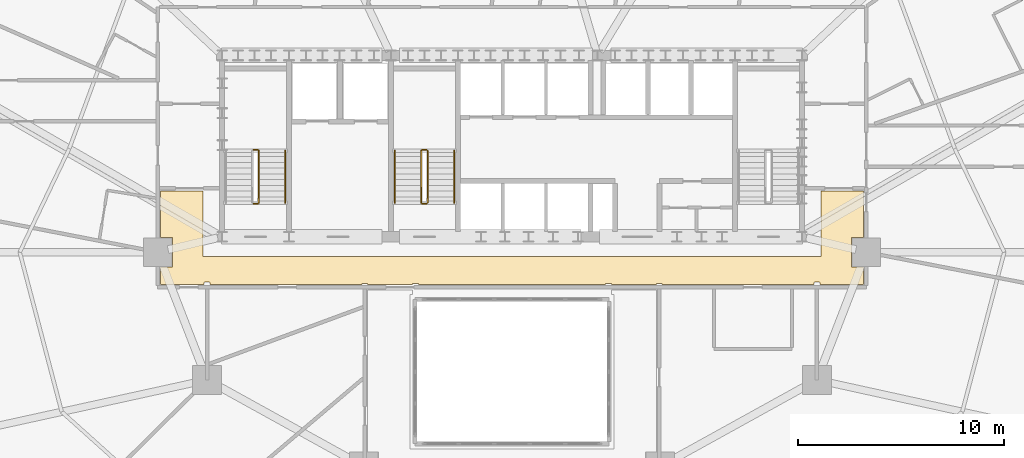
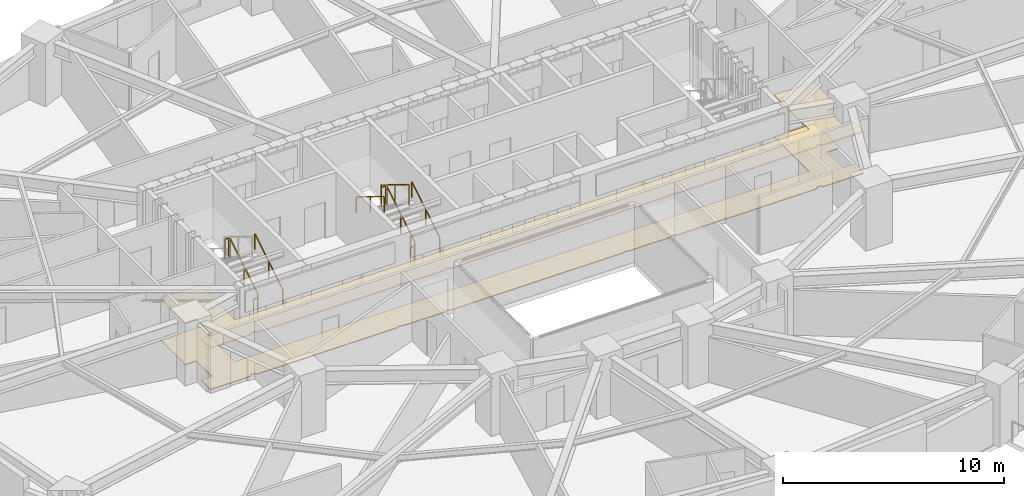
# One storey, part 15 of 17: 10 railings, 2 coverings.
"""IFC4 building model written with IfcOpenShell, lengths in metres."""

import ifcopenshell
import ifcopenshell.guid

model = None  # the IFC model being written
_history = None  # IfcOwnerHistory: only IFC2X3 demands one
_inside = {}  # id of a spatial element -> (the spatial element, [elements in it])
_under = {}  # id of a project, library or spatial element -> (it, [spatial elements below it])
_declared = {}  # id of a project -> (the project, [libraries it declares])
_typed = {}  # id of a type object -> (the type object, [elements of that type])
_made_of = {}  # id of a material, layer set ... -> (it, [elements and type objects made of it])


def new_model(schema):
    """Start an empty IFC model of exactly this schema.

    Asked for "IFC4X3", IfcOpenShell would pick the latest addendum, in which some entities
    have other attributes; the version numbers below select the first issue.
    IFC2X3 requires an IfcOwnerHistory on every rooted entity: one is made here for all.
    """
    global model, _history
    if schema == "IFC4X3":
        model = ifcopenshell.file(schema_version=(4, 3, 0, 0))
    else:
        model = ifcopenshell.file(schema=schema)
    _inside.clear()
    _under.clear()
    _declared.clear()
    _typed.clear()
    _made_of.clear()
    _history = None
    if model.schema == "IFC2X3":
        org = make("IfcOrganization", Name="unknown")
        user = make(
            "IfcPersonAndOrganization",
            ThePerson=make("IfcPerson", FamilyName="unknown"),
            TheOrganization=org,
        )
        app = make(
            "IfcApplication",
            ApplicationDeveloper=org,
            Version="unknown",
            ApplicationFullName="unknown",
            ApplicationIdentifier="unknown",
        )
        _history = make(
            "IfcOwnerHistory",
            OwningUser=user,
            OwningApplication=app,
            ChangeAction="ADDED",
            CreationDate=0,
        )
    return model


def make(cls, **values):
    """One entity of the class cls with the attributes given. An attribute that is None is left unset."""
    return model.create_entity(
        cls, **{name: value for name, value in values.items() if value is not None}
    )


def rooted(cls, **values):
    """An entity with a GlobalId (a new one), such as an element, a storey or a relation."""
    return make(cls, GlobalId=ifcopenshell.guid.new(), OwnerHistory=_history, **values)


def si_unit(unit_type, name, prefix=None):
    """IfcSIUnit, for example si_unit("LENGTHUNIT", "METRE", prefix="MILLI")."""
    return make("IfcSIUnit", UnitType=unit_type, Prefix=prefix, Name=name)


def assignment(units):
    """IfcUnitAssignment: the units of a project."""
    return None if units is None else make("IfcUnitAssignment", Units=units)


def point(xyz):
    """IfcCartesianPoint."""
    return None if xyz is None else make("IfcCartesianPoint", Coordinates=xyz)


def direction(xyz):
    """IfcDirection."""
    return None if xyz is None else make("IfcDirection", DirectionRatios=xyz)


def frame(location, z_axis=None, x_axis=None):
    """IfcAxis2Placement3D, a coordinate frame: its origin and axes. An axis left out is left unset."""
    return make(
        "IfcAxis2Placement3D",
        Location=point(location),
        Axis=direction(z_axis),
        RefDirection=direction(x_axis),
    )


def frame_2d(location, x_axis=None):
    """IfcAxis2Placement2D, a coordinate frame in the plane: its origin and x axis."""
    return make(
        "IfcAxis2Placement2D", Location=point(location), RefDirection=direction(x_axis)
    )


def origin():
    """The frame at (0, 0, 0) with its axes left unset."""
    return frame((0.0, 0.0, 0.0))


def origin_2d():
    """The frame at (0, 0) in the plane with its x axis left unset."""
    return frame_2d((0.0, 0.0))


def place(relative_to, where):
    """IfcLocalPlacement: puts the frame where relative to a parent placement (None: the world)."""
    return make(
        "IfcLocalPlacement", PlacementRelTo=relative_to, RelativePlacement=where
    )


def context(
    kind, dimensions, precision=None, world=None, true_north=None, identifier=None
):
    """IfcGeometricRepresentationContext, for example the 3D "Model" context."""
    return make(
        "IfcGeometricRepresentationContext",
        ContextIdentifier=identifier,
        ContextType=kind,
        CoordinateSpaceDimension=dimensions,
        Precision=precision,
        WorldCoordinateSystem=world,
        TrueNorth=true_north,
    )


def subcontext(parent, identifier, kind, view, scale=None):
    """IfcGeometricRepresentationSubContext, for example "Body" below "Model"."""
    return make(
        "IfcGeometricRepresentationSubContext",
        ContextIdentifier=identifier,
        ContextType=kind,
        ParentContext=parent,
        TargetScale=scale,
        TargetView=view,
    )


def project(units=None, contexts=None):
    """IfcProject with its units and contexts."""
    return rooted(
        "IfcProject",
        Name="project",
        RepresentationContexts=contexts,
        UnitsInContext=assignment(units),
    )


def spatial(cls, under=None, at=None, **own):
    """A site, building, storey or space (cls), placed at a placement, below another one or the project."""
    s = rooted(cls, ObjectPlacement=at, **own)
    if under is not None:
        _under.setdefault(under.id(), (under, []))[1].append(s)
    return s


def polyline(points):
    """IfcPolyline through the points."""
    return make("IfcPolyline", Points=[point(p) for p in points])


def profile(cls, at=None, kind="AREA", **sizes):
    """A parametric profile (cls). Its sizes go by their IFC names, for example OverallWidth=200.0."""
    return make(cls, ProfileType=kind, Position=at, **sizes)


def rectangle(**sizes):
    """IfcRectangleProfileDef."""
    return profile("IfcRectangleProfileDef", **sizes)


def outline(outer, holes=None, kind="AREA"):
    """IfcArbitraryClosedProfileDef: a profile drawn as a closed curve; with holes, ...WithVoids."""
    if holes is None:
        return make("IfcArbitraryClosedProfileDef", ProfileType=kind, OuterCurve=outer)
    return make(
        "IfcArbitraryProfileDefWithVoids",
        ProfileType=kind,
        OuterCurve=outer,
        InnerCurves=holes,
    )


def extrude(swept, where, along, depth):
    """IfcExtrudedAreaSolid: the profile swept, set in the frame where, extruded along a direction by depth."""
    return make(
        "IfcExtrudedAreaSolid",
        SweptArea=swept,
        Position=where,
        ExtrudedDirection=direction(along),
        Depth=depth,
    )


def shape(context_of_items, identifier, shape_type, items):
    """IfcShapeRepresentation: the items that make up one representation, for example the "Body"."""
    return make(
        "IfcShapeRepresentation",
        ContextOfItems=context_of_items,
        RepresentationIdentifier=identifier,
        RepresentationType=shape_type,
        Items=items,
    )


def material(Name=None, Category=None):
    """IfcMaterial."""
    return make("IfcMaterial", Name=Name, Category=Category)


def layer(
    of_material, thickness, ventilated=None, Name=None, Category=None, Priority=None
):
    """IfcMaterialLayer: one layer of a wall or slab, of a material (None: an air gap)."""
    return make(
        "IfcMaterialLayer",
        Material=of_material,
        LayerThickness=thickness,
        IsVentilated=ventilated,
        Name=Name,
        Category=Category,
        Priority=Priority,
    )


def layer_set(layers, Name=None):
    """IfcMaterialLayerSet."""
    return make("IfcMaterialLayerSet", MaterialLayers=layers, LayerSetName=Name)


def made_of(thing, what):
    """Note that an element or type object is made of a material, layer set ...; save() writes the relation."""
    if what is not None:
        _made_of.setdefault(what.id(), (what, []))[1].append(thing)
    return thing


def type_object(cls, material=None, **own):
    """A type object (cls), such as IfcWallType, which elements share."""
    return made_of(rooted(cls, **own), material)


def element(
    cls,
    number,
    at=None,
    inside=None,
    cuts=None,
    type_object=None,
    material=None,
    context=None,
    identifier="Body",
    shape_type=None,
    held_by="IfcProductDefinitionShape",
    body=None,
    shapes=None,
    **own,
):
    """One element of the class cls, such as IfcWall. Its Tag is "e" and its number.

    at: its placement. inside: the storey or other place that contains it. cuts: it is an
    opening in that element (IfcRelVoidsElement). A single representation is given by context,
    identifier, shape_type and body (its items); several are given by shapes. held_by: the class
    of the entity that holds the representations. save() writes the other relations.
    """
    e = rooted(cls, Tag="e%d" % number, ObjectPlacement=at, **own)
    if body is not None:
        shapes = [shape(context, identifier, shape_type, body)]
    if shapes is not None:
        e.Representation = make(held_by, Representations=shapes)
    if inside is not None:
        _inside.setdefault(inside.id(), (inside, []))[1].append(e)
    if cuts is not None:
        rooted(
            "IfcRelVoidsElement", RelatingBuildingElement=cuts, RelatedOpeningElement=e
        )
    if type_object is not None:
        _typed.setdefault(type_object.id(), (type_object, []))[1].append(e)
    return made_of(e, material)


def aggregate(whole, parts):
    """IfcRelAggregates: a whole, such as a stair, and the parts it consists of."""
    return rooted("IfcRelAggregates", RelatingObject=whole, RelatedObjects=parts)


def save(model, path):
    """Write the relations noted so far, then the file.

    IfcRelAggregates (storeys below a building ...), IfcRelContainedInSpatialStructure (elements
    in a storey), IfcRelDefinesByType, IfcRelAssociatesMaterial and IfcRelDeclares: one each for
    every whole, place, type object, material and project.
    """
    for whole, parts in _under.values():
        aggregate(whole, parts)
    for where, things in _inside.values():
        rooted(
            "IfcRelContainedInSpatialStructure",
            RelatedElements=things,
            RelatingStructure=where,
        )
    for kind, things in _typed.values():
        rooted("IfcRelDefinesByType", RelatedObjects=things, RelatingType=kind)
    for what, things in _made_of.values():
        rooted("IfcRelAssociatesMaterial", RelatedObjects=things, RelatingMaterial=what)
    for by, libraries in _declared.values():
        rooted("IfcRelDeclares", RelatingContext=by, RelatedDefinitions=libraries)
    model.write(path)


model = new_model("IFC4")

# Units and contexts
model_context = context("Model", 3, precision=1e-05, world=origin(), true_north=direction((0.0, 1.0)))
body_context = subcontext(model_context, "Body", "Model", "MODEL_VIEW")
ifc_project = project(units=[si_unit("LENGTHUNIT", "METRE"), si_unit("AREAUNIT", "SQUARE_METRE"), si_unit("VOLUMEUNIT", "CUBIC_METRE"), si_unit("PLANEANGLEUNIT", "RADIAN"), si_unit("MASSUNIT", "GRAM", prefix="KILO")], contexts=[model_context])

# Site, building, storey
site_placement = place(None, origin())
site = spatial("IfcSite", under=ifc_project, at=site_placement, CompositionType="ELEMENT")
building_placement = place(site_placement, origin())
building = spatial("IfcBuilding", under=site, at=building_placement, Name="Haldorwick Loom Tower", CompositionType="ELEMENT")
storey_placement = place(building_placement, frame((0.0, 0.0, 58.5)))
storey = spatial("IfcBuildingStorey", under=building, at=storey_placement, Name="L15", CompositionType="ELEMENT", Elevation=58.5)

# Coverings
ifc_material_1 = material(Name="Mineral Fibre Acoustic Ceiling Tile")
ifc_layer_1 = layer(ifc_material_1, 0.054931640625, Name="Mineral Fibre Acoustic Ceiling Tile")
ifc_layer_set_1 = layer_set([ifc_layer_1], Name="Mineral Fibre Acoustic Ceiling Tile")
covering_type_1 = type_object("IfcCoveringType", Name="ARC-COV-CEIL2", PredefinedType="CEILING", material=ifc_layer_set_1)
covering_1_placement = place(storey_placement, frame((0.0, 0.0, 2.302001953125)))
element("IfcCovering", 1, at=covering_1_placement, inside=storey, type_object=covering_type_1, Name="L15 Acoustic Suspended Ceiling 2", PredefinedType="CEILING", context=body_context, shape_type="SweptSolid", body=[
    extrude(outline(polyline([(51.0, 28.9599609375), (51.0, 25.800048828125), (21.0, 25.800048828125), (21.0, 28.9599609375), (18.93994140625, 28.9599609375), (18.93994140625, 26.7080078125), (19.508056640625, 26.7080078125), (19.508056640625, 25.2919921875), (18.93994140625, 25.2919921875), (18.93994140625, 24.43994140625), (21.06005859375, 24.43994140625), (21.06005859375, 24.52001953125), (21.06005859375, 24.52197265625), (21.060302734375, 24.52392578125), (21.060791015625, 24.52587890625), (21.0615234375, 24.527587890625), (21.0625, 24.529296875), (21.0634765625, 24.531005859375), (21.064453125, 24.53271484375), (21.06591796875, 24.5341796875), (21.0673828125, 24.535400390625), (21.06884765625, 24.53662109375), (21.070556640625, 24.53759765625), (21.072265625, 24.53857421875), (21.07421875, 24.5390625), (21.076171875, 24.53955078125), (21.077880859375, 24.539794921875), (21.080078125, 24.5400390625), (21.320068359375, 24.5400390625), (21.322021484375, 24.539794921875), (21.323974609375, 24.53955078125), (21.32568359375, 24.5390625), (21.32763671875, 24.53857421875), (21.329345703125, 24.53759765625), (21.3310546875, 24.53662109375), (21.332763671875, 24.535400390625), (21.333984375, 24.5341796875), (21.33544921875, 24.53271484375), (21.336669921875, 24.531005859375), (21.337646484375, 24.529296875), (21.33837890625, 24.527587890625), (21.339111328125, 24.52587890625), (21.339599609375, 24.52392578125), (21.33984375, 24.52197265625), (21.340087890625, 24.52001953125), (21.340087890625, 24.43994140625), (28.7099609375, 24.43994140625), (28.7099609375, 24.469970703125), (28.710205078125, 24.471923828125), (28.71044921875, 24.473876953125), (28.7109375, 24.475830078125), (28.71142578125, 24.477783203125), (28.71240234375, 24.4794921875), (28.71337890625, 24.481201171875), (28.714599609375, 24.482666015625), (28.7158203125, 24.484130859375), (28.71728515625, 24.485595703125), (28.718994140625, 24.486572265625), (28.720703125, 24.487548828125), (28.722412109375, 24.488525390625), (28.72412109375, 24.489013671875), (28.72607421875, 24.489501953125), (28.72802734375, 24.489990234375), (28.72998046875, 24.489990234375), (28.969970703125, 24.489990234375), (28.971923828125, 24.489990234375), (28.973876953125, 24.489501953125), (28.975830078125, 24.489013671875), (28.977783203125, 24.488525390625), (28.9794921875, 24.487548828125), (28.981201171875, 24.486572265625), (28.982666015625, 24.485595703125), (28.984130859375, 24.484130859375), (28.985595703125, 24.482666015625), (28.986572265625, 24.481201171875), (28.987548828125, 24.4794921875), (28.988525390625, 24.477783203125), (28.989013671875, 24.475830078125), (28.989501953125, 24.473876953125), (28.989990234375, 24.471923828125), (28.989990234375, 24.469970703125), (28.989990234375, 24.43994140625), (31.179931640625, 24.43994140625), (31.179931640625, 24.469970703125), (31.18017578125, 24.471923828125), (31.180419921875, 24.473876953125), (31.180908203125, 24.475830078125), (31.181396484375, 24.477783203125), (31.182373046875, 24.4794921875), (31.183349609375, 24.481201171875), (31.1845703125, 24.482666015625), (31.185791015625, 24.484130859375), (31.187255859375, 24.485595703125), (31.18896484375, 24.486572265625), (31.190673828125, 24.487548828125), (31.1923828125, 24.488525390625), (31.194091796875, 24.489013671875), (31.196044921875, 24.489501953125), (31.197998046875, 24.489990234375), (31.199951171875, 24.489990234375), (31.43994140625, 24.489990234375), (31.44189453125, 24.489990234375), (31.44384765625, 24.489501953125), (31.44580078125, 24.489013671875), (31.44775390625, 24.488525390625), (31.449462890625, 24.487548828125), (31.451171875, 24.486572265625), (31.45263671875, 24.485595703125), (31.4541015625, 24.484130859375), (31.45556640625, 24.482666015625), (31.45654296875, 24.481201171875), (31.45751953125, 24.4794921875), (31.45849609375, 24.477783203125), (31.458984375, 24.475830078125), (31.459716796875, 24.473876953125), (31.4599609375, 24.471923828125), (31.4599609375, 24.469970703125), (31.4599609375, 24.43994140625), (40.5400390625, 24.43994140625), (40.5400390625, 24.469970703125), (40.5400390625, 24.471923828125), (40.540283203125, 24.473876953125), (40.541015625, 24.475830078125), (40.54150390625, 24.477783203125), (40.54248046875, 24.4794921875), (40.54345703125, 24.481201171875), (40.54443359375, 24.482666015625), (40.5458984375, 24.484130859375), (40.54736328125, 24.485595703125), (40.548828125, 24.486572265625), (40.550537109375, 24.487548828125), (40.55224609375, 24.488525390625), (40.55419921875, 24.489013671875), (40.55615234375, 24.489501953125), (40.55810546875, 24.489990234375), (40.56005859375, 24.489990234375), (40.800048828125, 24.489990234375), (40.802001953125, 24.489990234375), (40.803955078125, 24.489501953125), (40.805908203125, 24.489013671875), (40.8076171875, 24.488525390625), (40.809326171875, 24.487548828125), (40.81103515625, 24.486572265625), (40.812744140625, 24.485595703125), (40.814208984375, 24.484130859375), (40.8154296875, 24.482666015625), (40.816650390625, 24.481201171875), (40.817626953125, 24.4794921875), (40.818603515625, 24.477783203125), (40.819091796875, 24.475830078125), (40.819580078125, 24.473876953125), (40.81982421875, 24.471923828125), (40.820068359375, 24.469970703125), (40.820068359375, 24.43994140625), (43.010009765625, 24.43994140625), (43.010009765625, 24.469970703125), (43.010009765625, 24.471923828125), (43.010498046875, 24.473876953125), (43.010986328125, 24.475830078125), (43.011474609375, 24.477783203125), (43.012451171875, 24.4794921875), (43.013427734375, 24.481201171875), (43.014404296875, 24.482666015625), (43.015869140625, 24.484130859375), (43.017333984375, 24.485595703125), (43.018798828125, 24.486572265625), (43.0205078125, 24.487548828125), (43.022216796875, 24.488525390625), (43.024169921875, 24.489013671875), (43.026123046875, 24.489501953125), (43.028076171875, 24.489990234375), (43.030029296875, 24.489990234375), (43.27001953125, 24.489990234375), (43.27197265625, 24.489990234375), (43.27392578125, 24.489501953125), (43.27587890625, 24.489013671875), (43.277587890625, 24.488525390625), (43.279296875, 24.487548828125), (43.281005859375, 24.486572265625), (43.28271484375, 24.485595703125), (43.2841796875, 24.484130859375), (43.285400390625, 24.482666015625), (43.28662109375, 24.481201171875), (43.28759765625, 24.4794921875), (43.28857421875, 24.477783203125), (43.2890625, 24.475830078125), (43.28955078125, 24.473876953125), (43.289794921875, 24.471923828125), (43.2900390625, 24.469970703125), (43.2900390625, 24.43994140625), (50.659912109375, 24.43994140625), (50.659912109375, 24.52001953125), (50.66015625, 24.52197265625), (50.660400390625, 24.52392578125), (50.660888671875, 24.52587890625), (50.66162109375, 24.527587890625), (50.662353515625, 24.529296875), (50.663330078125, 24.531005859375), (50.66455078125, 24.53271484375), (50.666015625, 24.5341796875), (50.667236328125, 24.535400390625), (50.6689453125, 24.53662109375), (50.670654296875, 24.53759765625), (50.67236328125, 24.53857421875), (50.67431640625, 24.5390625), (50.676025390625, 24.53955078125), (50.677978515625, 24.539794921875), (50.679931640625, 24.5400390625), (50.919921875, 24.5400390625), (50.922119140625, 24.539794921875), (50.923828125, 24.53955078125), (50.92578125, 24.5390625), (50.927734375, 24.53857421875), (50.929443359375, 24.53759765625), (50.93115234375, 24.53662109375), (50.9326171875, 24.535400390625), (50.93408203125, 24.5341796875), (50.935546875, 24.53271484375), (50.9365234375, 24.531005859375), (50.9375, 24.529296875), (50.9384765625, 24.527587890625), (50.939208984375, 24.52587890625), (50.939697265625, 24.52392578125), (50.93994140625, 24.52197265625), (50.93994140625, 24.52001953125), (50.93994140625, 24.43994140625), (53.06005859375, 24.43994140625), (53.06005859375, 25.2919921875), (52.491943359375, 25.2919921875), (52.491943359375, 26.7080078125), (53.06005859375, 26.7080078125), (53.06005859375, 28.9599609375), (51.0, 28.9599609375)])), origin(), (0.0, 0.0, 1.0), 0.054931640625),
])
ifc_material_2 = material(Name="Polished Aggregate Terrazzo Finish")
ifc_layer_2 = layer(ifc_material_2, 0.044921875, Name="Polished Aggregate Terrazzo Finish")
ifc_layer_set_2 = layer_set([ifc_layer_2], Name="Polished Aggregate Terrazzo Finish")
covering_type_2 = type_object("IfcCoveringType", Name="ARC-COV-FLOOR2", PredefinedType="FLOORING", material=ifc_layer_set_2)
covering_2_placement = place(storey_placement, origin())
element("IfcCovering", 2, at=covering_2_placement, inside=storey, type_object=covering_type_2, Name="L15 Floor Finish 2", PredefinedType="FLOORING", context=body_context, shape_type="SweptSolid", body=[
    extrude(outline(polyline([(51.0, 28.9599609375), (51.0, 25.800048828125), (21.0, 25.800048828125), (21.0, 28.9599609375), (18.93994140625, 28.9599609375), (18.93994140625, 26.7080078125), (19.508056640625, 26.7080078125), (19.508056640625, 25.2919921875), (18.93994140625, 25.2919921875), (18.93994140625, 24.43994140625), (21.06005859375, 24.43994140625), (21.06005859375, 24.52001953125), (21.06005859375, 24.52197265625), (21.060302734375, 24.52392578125), (21.060791015625, 24.52587890625), (21.0615234375, 24.527587890625), (21.0625, 24.529296875), (21.0634765625, 24.531005859375), (21.064453125, 24.53271484375), (21.06591796875, 24.5341796875), (21.0673828125, 24.535400390625), (21.06884765625, 24.53662109375), (21.070556640625, 24.53759765625), (21.072265625, 24.53857421875), (21.07421875, 24.5390625), (21.076171875, 24.53955078125), (21.077880859375, 24.539794921875), (21.080078125, 24.5400390625), (21.320068359375, 24.5400390625), (21.322021484375, 24.539794921875), (21.323974609375, 24.53955078125), (21.32568359375, 24.5390625), (21.32763671875, 24.53857421875), (21.329345703125, 24.53759765625), (21.3310546875, 24.53662109375), (21.332763671875, 24.535400390625), (21.333984375, 24.5341796875), (21.33544921875, 24.53271484375), (21.336669921875, 24.531005859375), (21.337646484375, 24.529296875), (21.33837890625, 24.527587890625), (21.339111328125, 24.52587890625), (21.339599609375, 24.52392578125), (21.33984375, 24.52197265625), (21.340087890625, 24.52001953125), (21.340087890625, 24.43994140625), (28.7099609375, 24.43994140625), (28.7099609375, 24.469970703125), (28.710205078125, 24.471923828125), (28.71044921875, 24.473876953125), (28.7109375, 24.475830078125), (28.71142578125, 24.477783203125), (28.71240234375, 24.4794921875), (28.71337890625, 24.481201171875), (28.714599609375, 24.482666015625), (28.7158203125, 24.484130859375), (28.71728515625, 24.485595703125), (28.718994140625, 24.486572265625), (28.720703125, 24.487548828125), (28.722412109375, 24.488525390625), (28.72412109375, 24.489013671875), (28.72607421875, 24.489501953125), (28.72802734375, 24.489990234375), (28.72998046875, 24.489990234375), (28.969970703125, 24.489990234375), (28.971923828125, 24.489990234375), (28.973876953125, 24.489501953125), (28.975830078125, 24.489013671875), (28.977783203125, 24.488525390625), (28.9794921875, 24.487548828125), (28.981201171875, 24.486572265625), (28.982666015625, 24.485595703125), (28.984130859375, 24.484130859375), (28.985595703125, 24.482666015625), (28.986572265625, 24.481201171875), (28.987548828125, 24.4794921875), (28.988525390625, 24.477783203125), (28.989013671875, 24.475830078125), (28.989501953125, 24.473876953125), (28.989990234375, 24.471923828125), (28.989990234375, 24.469970703125), (28.989990234375, 24.43994140625), (31.179931640625, 24.43994140625), (31.179931640625, 24.469970703125), (31.18017578125, 24.471923828125), (31.180419921875, 24.473876953125), (31.180908203125, 24.475830078125), (31.181396484375, 24.477783203125), (31.182373046875, 24.4794921875), (31.183349609375, 24.481201171875), (31.1845703125, 24.482666015625), (31.185791015625, 24.484130859375), (31.187255859375, 24.485595703125), (31.18896484375, 24.486572265625), (31.190673828125, 24.487548828125), (31.1923828125, 24.488525390625), (31.194091796875, 24.489013671875), (31.196044921875, 24.489501953125), (31.197998046875, 24.489990234375), (31.199951171875, 24.489990234375), (31.43994140625, 24.489990234375), (31.44189453125, 24.489990234375), (31.44384765625, 24.489501953125), (31.44580078125, 24.489013671875), (31.44775390625, 24.488525390625), (31.449462890625, 24.487548828125), (31.451171875, 24.486572265625), (31.45263671875, 24.485595703125), (31.4541015625, 24.484130859375), (31.45556640625, 24.482666015625), (31.45654296875, 24.481201171875), (31.45751953125, 24.4794921875), (31.45849609375, 24.477783203125), (31.458984375, 24.475830078125), (31.459716796875, 24.473876953125), (31.4599609375, 24.471923828125), (31.4599609375, 24.469970703125), (31.4599609375, 24.43994140625), (40.5400390625, 24.43994140625), (40.5400390625, 24.469970703125), (40.5400390625, 24.471923828125), (40.540283203125, 24.473876953125), (40.541015625, 24.475830078125), (40.54150390625, 24.477783203125), (40.54248046875, 24.4794921875), (40.54345703125, 24.481201171875), (40.54443359375, 24.482666015625), (40.5458984375, 24.484130859375), (40.54736328125, 24.485595703125), (40.548828125, 24.486572265625), (40.550537109375, 24.487548828125), (40.55224609375, 24.488525390625), (40.55419921875, 24.489013671875), (40.55615234375, 24.489501953125), (40.55810546875, 24.489990234375), (40.56005859375, 24.489990234375), (40.800048828125, 24.489990234375), (40.802001953125, 24.489990234375), (40.803955078125, 24.489501953125), (40.805908203125, 24.489013671875), (40.8076171875, 24.488525390625), (40.809326171875, 24.487548828125), (40.81103515625, 24.486572265625), (40.812744140625, 24.485595703125), (40.814208984375, 24.484130859375), (40.8154296875, 24.482666015625), (40.816650390625, 24.481201171875), (40.817626953125, 24.4794921875), (40.818603515625, 24.477783203125), (40.819091796875, 24.475830078125), (40.819580078125, 24.473876953125), (40.81982421875, 24.471923828125), (40.820068359375, 24.469970703125), (40.820068359375, 24.43994140625), (43.010009765625, 24.43994140625), (43.010009765625, 24.469970703125), (43.010009765625, 24.471923828125), (43.010498046875, 24.473876953125), (43.010986328125, 24.475830078125), (43.011474609375, 24.477783203125), (43.012451171875, 24.4794921875), (43.013427734375, 24.481201171875), (43.014404296875, 24.482666015625), (43.015869140625, 24.484130859375), (43.017333984375, 24.485595703125), (43.018798828125, 24.486572265625), (43.0205078125, 24.487548828125), (43.022216796875, 24.488525390625), (43.024169921875, 24.489013671875), (43.026123046875, 24.489501953125), (43.028076171875, 24.489990234375), (43.030029296875, 24.489990234375), (43.27001953125, 24.489990234375), (43.27197265625, 24.489990234375), (43.27392578125, 24.489501953125), (43.27587890625, 24.489013671875), (43.277587890625, 24.488525390625), (43.279296875, 24.487548828125), (43.281005859375, 24.486572265625), (43.28271484375, 24.485595703125), (43.2841796875, 24.484130859375), (43.285400390625, 24.482666015625), (43.28662109375, 24.481201171875), (43.28759765625, 24.4794921875), (43.28857421875, 24.477783203125), (43.2890625, 24.475830078125), (43.28955078125, 24.473876953125), (43.289794921875, 24.471923828125), (43.2900390625, 24.469970703125), (43.2900390625, 24.43994140625), (50.659912109375, 24.43994140625), (50.659912109375, 24.52001953125), (50.66015625, 24.52197265625), (50.660400390625, 24.52392578125), (50.660888671875, 24.52587890625), (50.66162109375, 24.527587890625), (50.662353515625, 24.529296875), (50.663330078125, 24.531005859375), (50.66455078125, 24.53271484375), (50.666015625, 24.5341796875), (50.667236328125, 24.535400390625), (50.6689453125, 24.53662109375), (50.670654296875, 24.53759765625), (50.67236328125, 24.53857421875), (50.67431640625, 24.5390625), (50.676025390625, 24.53955078125), (50.677978515625, 24.539794921875), (50.679931640625, 24.5400390625), (50.919921875, 24.5400390625), (50.922119140625, 24.539794921875), (50.923828125, 24.53955078125), (50.92578125, 24.5390625), (50.927734375, 24.53857421875), (50.929443359375, 24.53759765625), (50.93115234375, 24.53662109375), (50.9326171875, 24.535400390625), (50.93408203125, 24.5341796875), (50.935546875, 24.53271484375), (50.9365234375, 24.531005859375), (50.9375, 24.529296875), (50.9384765625, 24.527587890625), (50.939208984375, 24.52587890625), (50.939697265625, 24.52392578125), (50.93994140625, 24.52197265625), (50.93994140625, 24.52001953125), (50.93994140625, 24.43994140625), (53.06005859375, 24.43994140625), (53.06005859375, 25.2919921875), (52.491943359375, 25.2919921875), (52.491943359375, 26.7080078125), (53.06005859375, 26.7080078125), (53.06005859375, 28.9599609375), (51.0, 28.9599609375)])), origin(), (0.0, 0.0, 1.0), 0.044921875),
])

# Railings
ifc_material_3 = material(Name="Steel CSA G40.21 350W", Category="steel")
railing_type_1 = type_object("IfcRailingType", Name="ARC-RLG-GUARD112", PredefinedType="GUARDRAIL", material=ifc_material_3)
railing_1_placement = place(storey_placement, frame((23.699951171875, 28.39990234375, 0.172607421875)))
element("IfcRailing", 3, at=railing_1_placement, inside=storey, type_object=railing_type_1, Name="L15 ST-01 stair guard 1", PredefinedType="GUARDRAIL", context=body_context, shape_type="SweptSolid", body=[
    extrude(rectangle(XDim=0.048095703125, YDim=0.048095703125, at=origin_2d()), frame((0.0, 0.0, 1.076171875), z_axis=(0.0, 0.851400495292, 0.524516154772), x_axis=(-1.0, 0.0, 0.0)), (0.0, 0.0, 1.0), 2.9599609375),
    extrude(rectangle(XDim=0.0419921875, YDim=0.0419921875, at=origin_2d()), origin(), (0.0, 0.0, 1.0), 1.052001953125),
    extrude(rectangle(XDim=0.0419921875, YDim=0.0419921875, at=origin_2d()), frame((0.0, 1.260009765625, 0.7763671875)), (0.0, 0.0, 1.0), 1.052001953125),
    extrude(rectangle(XDim=0.0419921875, YDim=0.0419921875, at=origin_2d()), frame((0.0, 2.52001953125, 1.552490234375)), (0.0, 0.0, 1.0), 1.052001953125),
])
for number, where, name in (
    (4, (23.64990234375, 30.969970703125, 1.72509765625), "L15 ST-01 stair guard 2"),
    (5, (23.64990234375, 28.35009765625, 0.0), "L15 ST-01 stair guard 4"),
):
    element("IfcRailing", number, at=place(storey_placement, frame(where)), inside=storey, type_object=railing_type_1, Name=name, PredefinedType="GUARDRAIL", context=body_context, shape_type="SweptSolid", body=[
        extrude(rectangle(XDim=0.048095703125, YDim=0.048095703125, at=origin_2d()), frame((0.0, 0.0, 1.076171875), z_axis=(-1.0, 0.0, 0.0), x_axis=(0.0, -1.0, 0.0)), (0.0, 0.0, 1.0), 0.199951171875),
        extrude(rectangle(XDim=0.0419921875, YDim=0.0419921875, at=origin_2d()), origin(), (0.0, 0.0, 1.0), 1.052001953125),
        extrude(rectangle(XDim=0.0419921875, YDim=0.0419921875, at=origin_2d()), frame((-0.199951171875, 0.0, 0.0)), (0.0, 0.0, 1.0), 1.052001953125),
    ])
railing_2_placement = place(storey_placement, frame((31.89990234375, 28.39990234375, 0.172607421875)))
element("IfcRailing", 6, at=railing_2_placement, inside=storey, type_object=railing_type_1, Name="L15 ST-03 stair guard 1", PredefinedType="GUARDRAIL", context=body_context, shape_type="SweptSolid", body=[
    extrude(rectangle(XDim=0.048095703125, YDim=0.048095703125, at=origin_2d()), frame((0.0, 0.0, 1.076171875), z_axis=(0.0, 0.851400495292, 0.524516154772), x_axis=(-1.0, 0.0, 0.0)), (0.0, 0.0, 1.0), 2.9599609375),
    extrude(rectangle(XDim=0.0419921875, YDim=0.0419921875, at=origin_2d()), origin(), (0.0, 0.0, 1.0), 1.052001953125),
    extrude(rectangle(XDim=0.0419921875, YDim=0.0419921875, at=origin_2d()), frame((0.0, 1.260009765625, 0.7763671875)), (0.0, 0.0, 1.0), 1.052001953125),
    extrude(rectangle(XDim=0.0419921875, YDim=0.0419921875, at=origin_2d()), frame((0.0, 2.52001953125, 1.552490234375)), (0.0, 0.0, 1.0), 1.052001953125),
])
railing_3_placement = place(storey_placement, frame((31.85009765625, 30.969970703125, 1.72509765625)))
element("IfcRailing", 7, at=railing_3_placement, inside=storey, type_object=railing_type_1, Name="L15 ST-03 stair guard 2", PredefinedType="GUARDRAIL", context=body_context, shape_type="SweptSolid", body=[
    extrude(rectangle(XDim=0.048095703125, YDim=0.048095703125, at=origin_2d()), frame((0.0, 0.0, 1.076171875), z_axis=(-1.0, 0.0, 0.0), x_axis=(0.0, -1.0, 0.0)), (0.0, 0.0, 1.0), 0.2001953125),
    extrude(rectangle(XDim=0.0419921875, YDim=0.0419921875, at=origin_2d()), origin(), (0.0, 0.0, 1.0), 1.052001953125),
    extrude(rectangle(XDim=0.0419921875, YDim=0.0419921875, at=origin_2d()), frame((-0.2001953125, 0.0, 0.0)), (0.0, 0.0, 1.0), 1.052001953125),
])
railing_4_placement = place(storey_placement, frame((31.60009765625, 30.919921875, 1.8974609375)))
element("IfcRailing", 8, at=railing_4_placement, inside=storey, type_object=railing_type_1, Name="L15 ST-03 stair guard 3", PredefinedType="GUARDRAIL", context=body_context, shape_type="SweptSolid", body=[
    extrude(rectangle(XDim=0.048095703125, YDim=0.048095703125, at=origin_2d()), frame((0.0, 0.0, 1.076171875), z_axis=(0.0, -0.851400495292, 0.524516154772), x_axis=(1.0, 0.0, 0.0)), (0.0, 0.0, 1.0), 2.9599609375),
    extrude(rectangle(XDim=0.0419921875, YDim=0.0419921875, at=origin_2d()), origin(), (0.0, 0.0, 1.0), 1.052001953125),
    extrude(rectangle(XDim=0.0419921875, YDim=0.0419921875, at=origin_2d()), frame((0.0, -1.260009765625, 0.7763671875)), (0.0, 0.0, 1.0), 1.052001953125),
    extrude(rectangle(XDim=0.0419921875, YDim=0.0419921875, at=origin_2d()), frame((0.0, -2.52001953125, 1.552490234375)), (0.0, 0.0, 1.0), 1.052001953125),
])
railing_5_placement = place(storey_placement, frame((31.85009765625, 28.35009765625, 0.0)))
element("IfcRailing", 9, at=railing_5_placement, inside=storey, type_object=railing_type_1, Name="L15 ST-03 stair guard 4", PredefinedType="GUARDRAIL", context=body_context, shape_type="SweptSolid", body=[
    extrude(rectangle(XDim=0.048095703125, YDim=0.048095703125, at=origin_2d()), frame((0.0, 0.0, 1.076171875), z_axis=(-1.0, 0.0, 0.0), x_axis=(0.0, -1.0, 0.0)), (0.0, 0.0, 1.0), 0.2001953125),
    extrude(rectangle(XDim=0.0419921875, YDim=0.0419921875, at=origin_2d()), origin(), (0.0, 0.0, 1.0), 1.052001953125),
    extrude(rectangle(XDim=0.0419921875, YDim=0.0419921875, at=origin_2d()), frame((-0.2001953125, 0.0, 0.0)), (0.0, 0.0, 1.0), 1.052001953125),
])
railing_type_2 = type_object("IfcRailingType", Name="ARC-RLG-HAND092", PredefinedType="HANDRAIL", material=ifc_material_3)
for number, where, name in (
    (10, (25.0, 28.39990234375, 0.172607421875), "L15 ST-01 stair handrail 1"),
    (11, (33.199951171875, 28.39990234375, 0.172607421875), "L15 ST-03 stair handrail 1"),
):
    element("IfcRailing", number, at=place(storey_placement, frame(where)), inside=storey, type_object=railing_type_2, Name=name, PredefinedType="HANDRAIL", context=body_context, shape_type="SweptSolid", body=[
        extrude(rectangle(XDim=0.048095703125, YDim=0.048095703125, at=origin_2d()), frame((0.0, 0.0, 0.8759765625), z_axis=(0.0, 0.851400495292, 0.524516154772), x_axis=(-1.0, 0.0, 0.0)), (0.0, 0.0, 1.0), 2.9599609375),
        extrude(rectangle(XDim=0.0419921875, YDim=0.0419921875, at=origin_2d()), origin(), (0.0, 0.0, 1.0), 0.851806640625),
        extrude(rectangle(XDim=0.0419921875, YDim=0.0419921875, at=origin_2d()), frame((0.0, 1.260009765625, 0.7763671875)), (0.0, 0.0, 1.0), 0.851806640625),
        extrude(rectangle(XDim=0.0419921875, YDim=0.0419921875, at=origin_2d()), frame((0.0, 2.52001953125, 1.552490234375)), (0.0, 0.0, 1.0), 0.851806640625),
    ])
railing_6_placement = place(storey_placement, frame((30.300048828125, 30.919921875, 1.8974609375)))
element("IfcRailing", 12, at=railing_6_placement, inside=storey, type_object=railing_type_2, Name="L15 ST-03 stair handrail 2", PredefinedType="HANDRAIL", context=body_context, shape_type="SweptSolid", body=[
    extrude(rectangle(XDim=0.048095703125, YDim=0.048095703125, at=origin_2d()), frame((0.0, 0.0, 0.8759765625), z_axis=(0.0, -0.851400495292, 0.524516154772), x_axis=(1.0, 0.0, 0.0)), (0.0, 0.0, 1.0), 2.9599609375),
    extrude(rectangle(XDim=0.0419921875, YDim=0.0419921875, at=origin_2d()), origin(), (0.0, 0.0, 1.0), 0.851806640625),
    extrude(rectangle(XDim=0.0419921875, YDim=0.0419921875, at=origin_2d()), frame((0.0, -1.260009765625, 0.7763671875)), (0.0, 0.0, 1.0), 0.851806640625),
    extrude(rectangle(XDim=0.0419921875, YDim=0.0419921875, at=origin_2d()), frame((0.0, -2.52001953125, 1.552490234375)), (0.0, 0.0, 1.0), 0.851806640625),
])

save(model, "model.ifc")
